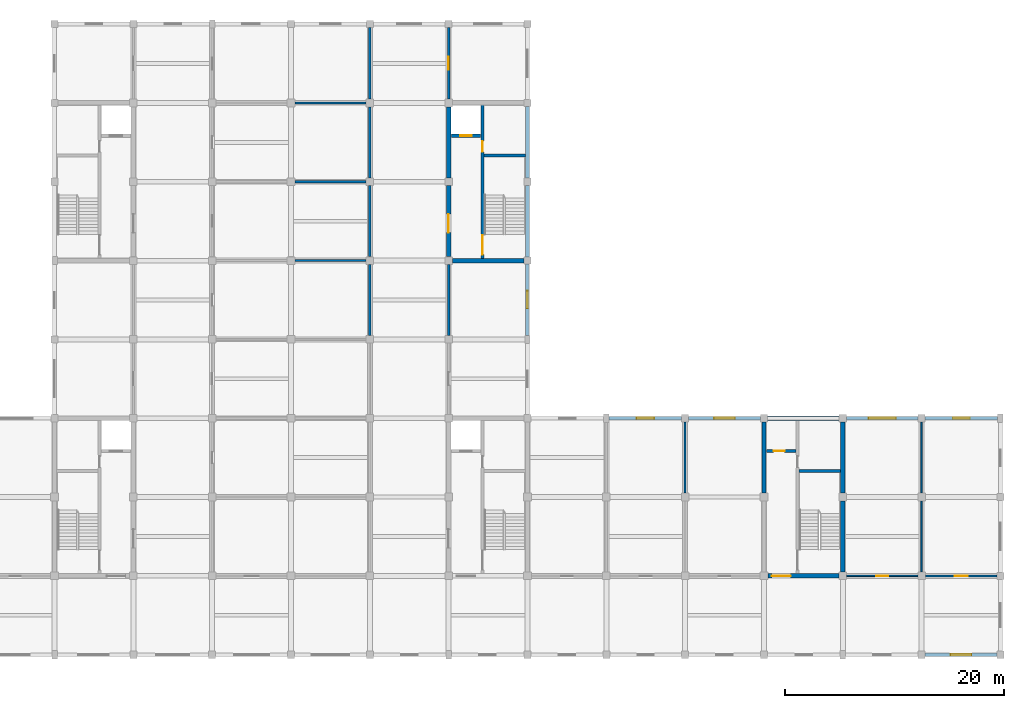
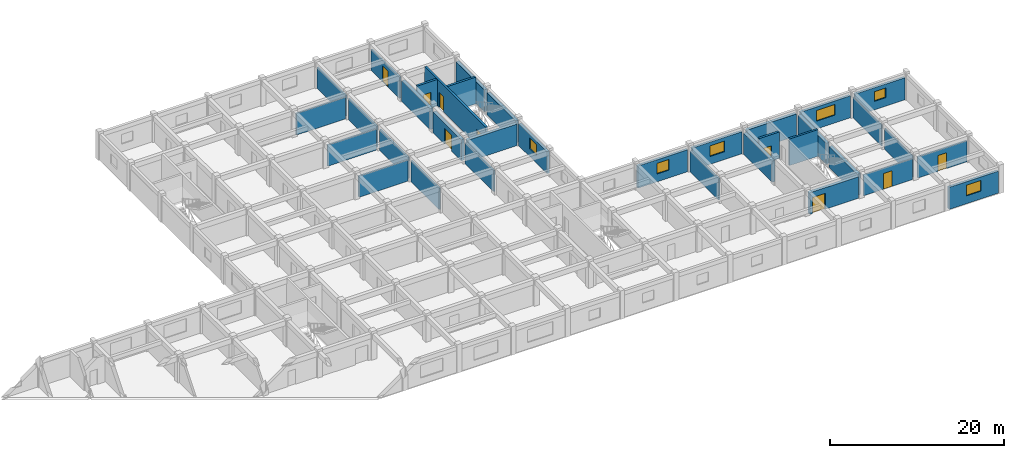
# One storey, part 8 of 11: 35 walls, 9 doors, 6 windows, 15 openings.
"""IFC4 building model written with IfcOpenShell, lengths in metres."""

from ifc_helpers import new_model, si_unit, direction, frame, frame_2d, origin, place, context, subcontext, project, spatial, rectangle, extrude, material, layer, layer_set, type_object, element, fill, save


model = new_model("IFC4")

# Units and contexts
model_context = context("Model", 3, precision=1e-05, world=origin(), true_north=direction((0.0, 1.0)))
body_context = subcontext(model_context, "Body", "Model", "MODEL_VIEW")
ifc_project = project(units=[si_unit("LENGTHUNIT", "METRE"), si_unit("AREAUNIT", "SQUARE_METRE"), si_unit("VOLUMEUNIT", "CUBIC_METRE"), si_unit("PLANEANGLEUNIT", "RADIAN"), si_unit("MASSUNIT", "GRAM", prefix="KILO")], contexts=[model_context])

# Site, building, storey
site_placement = place(None, origin())
site = spatial("IfcSite", under=ifc_project, at=site_placement, CompositionType="ELEMENT")
building_placement = place(site_placement, origin())
building = spatial("IfcBuilding", under=site, at=building_placement, Name="Cendaluz Park School", CompositionType="ELEMENT")
storey_placement = place(building_placement, frame((0.0, 0.0, 26.60009765625)))
storey = spatial("IfcBuildingStorey", under=building, at=storey_placement, Name="L06", CompositionType="ELEMENT", Elevation=26.60009765625)

# Wall
ifc_material_1 = material(Name="Gypsum Plasterboard on Cold-Formed Stud", Category="gypsum")
ifc_layer_1 = layer(ifc_material_1, 0.199951171875)
ifc_layer_set_1 = layer_set([ifc_layer_1], Name="Gypsum Plasterboard on Cold-Formed Stud")
wall_type_1 = type_object("IfcWallType", Name="W-AC20", PredefinedType="PARTITIONING", material=ifc_layer_set_1)
wall_1_placement = place(storey_placement, frame((122.39990234375, 21.949951171875, 0.0), z_axis=(0.0, 0.0, 1.0), x_axis=(0.0, 1.0, 0.0)))
element("IfcWall", 1, at=wall_1_placement, inside=storey, type_object=wall_type_1, Name="WL-FG-BP6", PredefinedType="PARTITIONING", context=body_context, shape_type="SweptSolid", body=[
    extrude(rectangle(XDim=6.525146484375, YDim=0.199951171875, at=frame_2d((3.2626953125, 0.0))), origin(), (0.0, 0.0, 1.0), 2.9599609375),
])

# Wall, opening, door
wall_2_placement = place(storey_placement, frame((144.35009765625, 14.39990234375, 0.0), z_axis=(0.0, 0.0, 1.0), x_axis=(1.0, 0.0, 0.0)))
wall_2 = element("IfcWall", 2, at=wall_2_placement, inside=storey, type_object=wall_type_1, Name="WL-FG-BQ1", PredefinedType="PARTITIONING", context=body_context, shape_type="SweptSolid", body=[
    extrude(rectangle(XDim=6.52490234375, YDim=0.199951171875, at=frame_2d((3.262451171875, 0.0))), origin(), (0.0, 0.0, 1.0), 2.9599609375),
])
opening_1_placement = place(wall_2_placement, frame((2.6826171875, 0.0, 0.0)))
opening_1 = element("IfcOpeningElement", 3, at=opening_1_placement, cuts=wall_2, Name="Opening DCL-07", PredefinedType="OPENING", context=body_context, shape_type="SweptSolid", body=[
    extrude(rectangle(XDim=1.159912109375, YDim=2.219970703125, at=frame_2d((0.580078125, 1.10986328125))), frame((0.0, 0.112060546875, 0.0), z_axis=(0.0, -1.0, 0.0), x_axis=(1.0, 0.0, 0.0)), (0.0, 0.0, 1.0), 0.223876953125),
])
ifc_material_2 = material(Name="Solid Core Hardwood", Category="wood")
door_type_1 = type_object("IfcDoorType", Name="DCL-07", OperationType="NOTDEFINED", PredefinedType="DOOR", material=ifc_material_2)
door_1_placement = place(opening_1_placement, origin())
door_1 = element("IfcDoor", 4, at=door_1_placement, inside=storey, type_object=door_type_1, Name="D-L06-036", OperationType="SINGLE_SWING_RIGHT", OverallHeight=2.219970703125, OverallWidth=1.159912109375, PredefinedType="DOOR", context=body_context, shape_type="SweptSolid", body=[
    extrude(rectangle(XDim=1.159912109375, YDim=2.219970703125, at=frame_2d((0.580078125, 1.10986328125))), frame((0.0, 0.02490234375, 0.0), z_axis=(0.0, -1.0, 0.0), x_axis=(1.0, 0.0, 0.0)), (0.0, 0.0, 1.0), 0.050048828125),
])
fill(opening_1, door_1)

# Walls
for number, where, z_axis, x_axis, name in (
    (5, (86.75, 43.199951171875, 0.0), (0.0, 0.0, 1.0), (1.0, 0.0, 0.0), "WL-FG-BS1"),
    (6, (93.60009765625, 36.35009765625, 0.0), (0.0, 0.0, 1.0), (0.0, 1.0, 0.0), "WL-FG-BS2"),
    (7, (86.75, 50.39990234375, 0.0), (0.0, 0.0, 1.0), (1.0, 0.0, 0.0), "WL-FG-BS5"),
    (8, (93.60009765625, 43.550048828125, 0.0), (0.0, 0.0, 1.0), (0.0, 1.0, 0.0), "WL-FG-BS6"),
):
    element("IfcWall", number, at=place(storey_placement, frame(where, z_axis=z_axis, x_axis=x_axis)), inside=storey, type_object=wall_type_1, Name=name, PredefinedType="PARTITIONING", context=body_context, shape_type="SweptSolid", body=[
        extrude(rectangle(XDim=6.5, YDim=0.199951171875, at=frame_2d((3.25, 0.0))), origin(), (0.0, 0.0, 1.0), 2.9599609375),
    ])
wall_3_placement = place(storey_placement, frame((86.75, 57.60009765625, 0.0), z_axis=(0.0, 0.0, 1.0), x_axis=(1.0, 0.0, 0.0)))
element("IfcWall", 9, at=wall_3_placement, inside=storey, type_object=wall_type_1, Name="WL-FG-BS9", PredefinedType="PARTITIONING", context=body_context, shape_type="SweptSolid", body=[
    extrude(rectangle(XDim=6.5, YDim=0.199951171875, at=frame_2d((3.25, 0.0))), origin(), (0.0, 0.0, 1.0), 3.02978515625),
])
wall_4_placement = place(storey_placement, frame((93.60009765625, 50.75, 0.0), z_axis=(0.0, 0.0, 1.0), x_axis=(0.0, 1.0, 0.0)))
element("IfcWall", 10, at=wall_4_placement, inside=storey, type_object=wall_type_1, Name="WL-FG-BT0", PredefinedType="PARTITIONING", context=body_context, shape_type="SweptSolid", body=[
    extrude(rectangle(XDim=6.5, YDim=0.199951171875, at=frame_2d((3.25, 0.0))), origin(), (0.0, 0.0, 1.0), 2.9599609375),
])
wall_5_placement = place(storey_placement, frame((93.60009765625, 57.949951171875, 0.0), z_axis=(0.0, 0.0, 1.0), x_axis=(0.0, 1.0, 0.0)))
element("IfcWall", 11, at=wall_5_placement, inside=storey, type_object=wall_type_1, Name="WL-FG-BT2", PredefinedType="PARTITIONING", context=body_context, shape_type="SweptSolid", body=[
    extrude(rectangle(XDim=6.525146484375, YDim=0.199951171875, at=frame_2d((3.2626953125, 0.0))), origin(), (0.0, 0.0, 1.0), 2.9599609375),
])
wall_6_placement = place(storey_placement, frame((100.800048828125, 36.35009765625, 0.0), z_axis=(0.0, 0.0, 1.0), x_axis=(0.0, 1.0, 0.0)))
element("IfcWall", 12, at=wall_6_placement, inside=storey, type_object=wall_type_1, Name="WL-FG-BT4", PredefinedType="PARTITIONING", context=body_context, shape_type="SweptSolid", body=[
    extrude(rectangle(XDim=6.5, YDim=0.199951171875, at=frame_2d((3.25, 0.0))), origin(), (0.0, 0.0, 1.0), 2.9599609375),
])

# Wall, opening, door
wall_7_placement = place(storey_placement, frame((100.800048828125, 57.949951171875, 0.0), z_axis=(0.0, 0.0, 1.0), x_axis=(0.0, 1.0, 0.0)))
wall_7 = element("IfcWall", 13, at=wall_7_placement, inside=storey, type_object=wall_type_1, Name="WL-FG-BT5", PredefinedType="PARTITIONING", context=body_context, shape_type="SweptSolid", body=[
    extrude(rectangle(XDim=6.525146484375, YDim=0.199951171875, at=frame_2d((3.2626953125, 0.0))), origin(), (0.0, 0.0, 1.0), 2.9599609375),
])
opening_2_placement = place(wall_7_placement, frame((2.66259765625, 0.0, 0.0)))
opening_2 = element("IfcOpeningElement", 14, at=opening_2_placement, cuts=wall_7, Name="Opening DCL-08", PredefinedType="OPENING", context=body_context, shape_type="SweptSolid", body=[
    extrude(rectangle(XDim=1.199951171875, YDim=2.239990234375, at=frame_2d((0.60009765625, 1.1201171875))), frame((0.0, 0.112060546875, 0.0), z_axis=(0.0, -1.0, 0.0), x_axis=(1.0, 0.0, 0.0)), (0.0, 0.0, 1.0), 0.223876953125),
])
door_type_2 = type_object("IfcDoorType", Name="DCL-08", OperationType="NOTDEFINED", PredefinedType="DOOR", material=ifc_material_2)
door_2_placement = place(opening_2_placement, frame((1.199951171875, 0.0, 0.0), z_axis=(0.0, 0.0, 1.0), x_axis=(-1.0, 0.0, 0.0)))
door_2 = element("IfcDoor", 15, at=door_2_placement, inside=storey, type_object=door_type_2, Name="D-L06-047", OperationType="SINGLE_SWING_LEFT", OverallHeight=2.239990234375, OverallWidth=1.199951171875, PredefinedType="DOOR", context=body_context, shape_type="SweptSolid", body=[
    extrude(rectangle(XDim=1.199951171875, YDim=2.239990234375, at=frame_2d((0.60009765625, 1.1201171875))), frame((0.0, 0.02490234375, 0.0), z_axis=(0.0, -1.0, 0.0), x_axis=(1.0, 0.0, 0.0)), (0.0, 0.0, 1.0), 0.050048828125),
])
fill(opening_2, door_2)

# Wall, opening, window
ifc_material_3 = material(Name="Concrete C40/50 precast", Category="concrete")
ifc_layer_2 = layer(ifc_material_3, 0.320068359375)
ifc_layer_set_2 = layer_set([ifc_layer_2], Name="Concrete C40/50 precast")
wall_type_2 = type_object("IfcWallType", Name="W-EX32", PredefinedType="SOLIDWALL", material=ifc_layer_set_2)
wall_8_placement = place(storey_placement, frame((108.0, 36.375, 0.0), z_axis=(0.0, 0.0, 1.0), x_axis=(0.0, 1.0, 0.0)))
wall_8 = element("IfcWall", 16, at=wall_8_placement, inside=storey, type_object=wall_type_2, Name="WL-FG-AC9", PredefinedType="SOLIDWALL", context=body_context, shape_type="SweptSolid", body=[
    extrude(rectangle(XDim=6.5, YDim=0.320068359375, at=frame_2d((3.25, 0.0))), origin(), (0.0, 0.0, 1.0), 3.099853515625),
])
opening_3_placement = place(wall_8_placement, frame((2.449951171875, 0.0, 1.10009765625)))
opening_3 = element("IfcOpeningElement", 17, at=opening_3_placement, cuts=wall_8, Name="Opening WN-16", PredefinedType="OPENING", context=body_context, shape_type="SweptSolid", body=[
    extrude(rectangle(XDim=1.60009765625, YDim=1.5, at=frame_2d((0.800048828125, 0.75))), frame((0.0, 0.172119140625, 0.0), z_axis=(0.0, -1.0, 0.0), x_axis=(1.0, 0.0, 0.0)), (0.0, 0.0, 1.0), 0.343994140625),
])
ifc_material_4 = material(Name="Tempered Low-E Double Glazing", Category="glass")
window_type_1 = type_object("IfcWindowType", Name="WN-16", PartitioningType="SINGLE_PANEL", PredefinedType="WINDOW", material=ifc_material_4)
window_1_placement = place(opening_3_placement, origin())
window_1 = element("IfcWindow", 18, at=window_1_placement, inside=storey, type_object=window_type_1, Name="WN-L06-030", OverallHeight=1.5, OverallWidth=1.60009765625, PartitioningType="SINGLE_PANEL", PredefinedType="WINDOW", context=body_context, shape_type="SweptSolid", body=[
    extrude(rectangle(XDim=1.60009765625, YDim=1.5, at=frame_2d((0.800048828125, 0.75))), frame((0.0, 0.030029296875, 0.0), z_axis=(0.0, -1.0, 0.0), x_axis=(1.0, 0.0, 0.0)), (0.0, 0.0, 1.0), 0.06005859375),
])
fill(opening_3, window_1)

wall_9_placement = place(storey_placement, frame((115.449951171875, 28.800048828125, 0.0), z_axis=(0.0, 0.0, 1.0), x_axis=(1.0, 0.0, 0.0)))
wall_9 = element("IfcWall", 19, at=wall_9_placement, inside=storey, type_object=wall_type_2, Name="WL-FG-AD5", PredefinedType="SOLIDWALL", context=body_context, shape_type="SweptSolid", body=[
    extrude(rectangle(XDim=6.625, YDim=0.320068359375, at=frame_2d((3.3125, 0.0))), origin(), (0.0, 0.0, 1.0), 3.099853515625),
])
opening_4_placement = place(wall_9_placement, frame((2.512451171875, 0.0, 1.10009765625)))
opening_4 = element("IfcOpeningElement", 20, at=opening_4_placement, cuts=wall_9, Name="Opening WN-16", PredefinedType="OPENING", context=body_context, shape_type="SweptSolid", body=[
    extrude(rectangle(XDim=1.60009765625, YDim=1.5, at=frame_2d((0.800048828125, 0.75))), frame((0.0, 0.172119140625, 0.0), z_axis=(0.0, -1.0, 0.0), x_axis=(1.0, 0.0, 0.0)), (0.0, 0.0, 1.0), 0.343994140625),
])
window_2_placement = place(opening_4_placement, origin())
window_2 = element("IfcWindow", 21, at=window_2_placement, inside=storey, type_object=window_type_1, Name="WN-L06-036", OverallHeight=1.5, OverallWidth=1.60009765625, PartitioningType="SINGLE_PANEL", PredefinedType="WINDOW", context=body_context, shape_type="SweptSolid", body=[
    extrude(rectangle(XDim=1.60009765625, YDim=1.5, at=frame_2d((0.800048828125, 0.75))), frame((0.0, 0.030029296875, 0.0), z_axis=(0.0, -1.0, 0.0), x_axis=(1.0, 0.0, 0.0)), (0.0, 0.0, 1.0), 0.06005859375),
])
fill(opening_4, window_2)

wall_10_placement = place(storey_placement, frame((122.72509765625, 28.800048828125, 0.0), z_axis=(0.0, 0.0, 1.0), x_axis=(1.0, 0.0, 0.0)))
wall_10 = element("IfcWall", 22, at=wall_10_placement, inside=storey, type_object=wall_type_2, Name="WL-FG-AD7", PredefinedType="SOLIDWALL", context=body_context, shape_type="SweptSolid", body=[
    extrude(rectangle(XDim=6.5498046875, YDim=0.320068359375, at=frame_2d((3.27490234375, 0.0))), origin(), (0.0, 0.0, 1.0), 3.099853515625),
])
opening_5_placement = place(wall_10_placement, frame((2.324951171875, 0.0, 1.10009765625)))
opening_5 = element("IfcOpeningElement", 23, at=opening_5_placement, cuts=wall_10, Name="Opening WN-17", PredefinedType="OPENING", context=body_context, shape_type="SweptSolid", body=[
    extrude(rectangle(XDim=1.89990234375, YDim=1.5, at=frame_2d((0.949951171875, 0.75))), frame((0.0, 0.172119140625, 0.0), z_axis=(0.0, -1.0, 0.0), x_axis=(1.0, 0.0, 0.0)), (0.0, 0.0, 1.0), 0.343994140625),
])
window_type_2 = type_object("IfcWindowType", Name="WN-17", PartitioningType="SINGLE_PANEL", PredefinedType="WINDOW", material=ifc_material_4)
window_3_placement = place(opening_5_placement, origin())
window_3 = element("IfcWindow", 24, at=window_3_placement, inside=storey, type_object=window_type_2, Name="WN-L06-038", OverallHeight=1.5, OverallWidth=1.89990234375, PartitioningType="SINGLE_PANEL", PredefinedType="WINDOW", context=body_context, shape_type="SweptSolid", body=[
    extrude(rectangle(XDim=1.89990234375, YDim=1.5, at=frame_2d((0.949951171875, 0.75))), frame((0.0, 0.030029296875, 0.0), z_axis=(0.0, -1.0, 0.0), x_axis=(1.0, 0.0, 0.0)), (0.0, 0.0, 1.0), 0.06005859375),
])
fill(opening_5, window_3)

wall_11_placement = place(storey_placement, frame((137.125, 28.800048828125, 0.0), z_axis=(0.0, 0.0, 1.0), x_axis=(1.0, 0.0, 0.0)))
wall_11 = element("IfcWall", 25, at=wall_11_placement, inside=storey, type_object=wall_type_2, Name="WL-FG-AE0", PredefinedType="SOLIDWALL", context=body_context, shape_type="SweptSolid", body=[
    extrude(rectangle(XDim=6.550048828125, YDim=0.320068359375, at=frame_2d((3.27490234375, 0.0))), origin(), (0.0, 0.0, 1.0), 3.099853515625),
])
opening_6_placement = place(wall_11_placement, frame((2.02490234375, 0.0, 1.10009765625)))
opening_6 = element("IfcOpeningElement", 26, at=opening_6_placement, cuts=wall_11, Name="Opening WN-19", PredefinedType="OPENING", context=body_context, shape_type="SweptSolid", body=[
    extrude(rectangle(XDim=2.5, YDim=1.5, at=frame_2d((1.25, 0.75))), frame((0.0, 0.172119140625, 0.0), z_axis=(0.0, -1.0, 0.0), x_axis=(1.0, 0.0, 0.0)), (0.0, 0.0, 1.0), 0.343994140625),
])
window_type_3 = type_object("IfcWindowType", Name="WN-19", PartitioningType="SINGLE_PANEL", PredefinedType="WINDOW", material=ifc_material_4)
window_4_placement = place(opening_6_placement, origin())
window_4 = element("IfcWindow", 27, at=window_4_placement, inside=storey, type_object=window_type_3, Name="WN-L06-041", OverallHeight=1.5, OverallWidth=2.5, PartitioningType="SINGLE_PANEL", PredefinedType="WINDOW", context=body_context, shape_type="SweptSolid", body=[
    extrude(rectangle(XDim=2.5, YDim=1.5, at=frame_2d((1.25, 0.75))), frame((0.0, 0.030029296875, 0.0), z_axis=(0.0, -1.0, 0.0), x_axis=(1.0, 0.0, 0.0)), (0.0, 0.0, 1.0), 0.06005859375),
])
fill(opening_6, window_4)

wall_12_placement = place(storey_placement, frame((144.324951171875, 7.199951171875, 0.0), z_axis=(0.0, 0.0, 1.0), x_axis=(1.0, 0.0, 0.0)))
wall_12 = element("IfcWall", 28, at=wall_12_placement, inside=storey, type_object=wall_type_2, Name="WL-FG-AE1", PredefinedType="SOLIDWALL", context=body_context, shape_type="SweptSolid", body=[
    extrude(rectangle(XDim=6.550048828125, YDim=0.320068359375, at=frame_2d((3.27490234375, 0.0))), origin(), (0.0, 0.0, 1.0), 3.099853515625),
])
opening_7_placement = place(wall_12_placement, frame((2.324951171875, 0.0, 1.10009765625)))
opening_7 = element("IfcOpeningElement", 29, at=opening_7_placement, cuts=wall_12, Name="Opening WN-17", PredefinedType="OPENING", context=body_context, shape_type="SweptSolid", body=[
    extrude(rectangle(XDim=1.89990234375, YDim=1.5, at=frame_2d((0.949951171875, 0.75))), frame((0.0, 0.172119140625, 0.0), z_axis=(0.0, -1.0, 0.0), x_axis=(1.0, 0.0, 0.0)), (0.0, 0.0, 1.0), 0.343994140625),
])
window_5_placement = place(opening_7_placement, origin())
window_5 = element("IfcWindow", 30, at=window_5_placement, inside=storey, type_object=window_type_2, Name="WN-L06-042", OverallHeight=1.5, OverallWidth=1.89990234375, PartitioningType="SINGLE_PANEL", PredefinedType="WINDOW", context=body_context, shape_type="SweptSolid", body=[
    extrude(rectangle(XDim=1.89990234375, YDim=1.5, at=frame_2d((0.949951171875, 0.75))), frame((0.0, 0.030029296875, 0.0), z_axis=(0.0, -1.0, 0.0), x_axis=(1.0, 0.0, 0.0)), (0.0, 0.0, 1.0), 0.06005859375),
])
fill(opening_7, window_5)

wall_13_placement = place(storey_placement, frame((144.324951171875, 28.800048828125, 0.0), z_axis=(0.0, 0.0, 1.0), x_axis=(1.0, 0.0, 0.0)))
wall_13 = element("IfcWall", 31, at=wall_13_placement, inside=storey, type_object=wall_type_2, Name="WL-FG-AE4", PredefinedType="SOLIDWALL", context=body_context, shape_type="SweptSolid", body=[
    extrude(rectangle(XDim=6.625, YDim=0.320068359375, at=frame_2d((3.3125, 0.0))), origin(), (0.0, 0.0, 1.0), 3.099853515625),
])
opening_8_placement = place(wall_13_placement, frame((2.5625, 0.0, 1.199951171875)))
opening_8 = element("IfcOpeningElement", 32, at=opening_8_placement, cuts=wall_13, Name="Opening WN-20", PredefinedType="OPENING", context=body_context, shape_type="SweptSolid", body=[
    extrude(rectangle(XDim=1.5, YDim=1.35009765625, at=frame_2d((0.75, 0.675048828125))), frame((0.0, 0.172119140625, 0.0), z_axis=(0.0, -1.0, 0.0), x_axis=(1.0, 0.0, 0.0)), (0.0, 0.0, 1.0), 0.343994140625),
])
window_type_4 = type_object("IfcWindowType", Name="WN-20", PartitioningType="SINGLE_PANEL", PredefinedType="WINDOW", material=ifc_material_4)
window_6_placement = place(opening_8_placement, origin())
window_6 = element("IfcWindow", 33, at=window_6_placement, inside=storey, type_object=window_type_4, Name="WN-L06-045", OverallHeight=1.35009765625, OverallWidth=1.5, PartitioningType="SINGLE_PANEL", PredefinedType="WINDOW", context=body_context, shape_type="SweptSolid", body=[
    extrude(rectangle(XDim=1.5, YDim=1.35009765625, at=frame_2d((0.75, 0.675048828125))), frame((0.0, 0.030029296875, 0.0), z_axis=(0.0, -1.0, 0.0), x_axis=(1.0, 0.0, 0.0)), (0.0, 0.0, 1.0), 0.06005859375),
])
fill(opening_8, window_6)

# Wall, openings, doors
ifc_material_5 = material(Name="Concrete C40/50", Category="concrete")
ifc_layer_3 = layer(ifc_material_5, 0.280029296875)
ifc_layer_set_3 = layer_set([ifc_layer_3], Name="Concrete C40/50")
wall_type_3 = type_object("IfcWallType", Name="W-FW28", PredefinedType="SHEAR", material=ifc_layer_set_3)
wall_14_placement = place(storey_placement, frame((103.8798828125, 43.39990234375, 0.0), z_axis=(0.0, 0.0, 1.0), x_axis=(0.0, 1.0, 0.0)))
wall_14 = element("IfcWall", 34, at=wall_14_placement, inside=storey, type_object=wall_type_3, Name="WL-FG-BL9", PredefinedType="SHEAR", context=body_context, shape_type="SweptSolid", body=[
    extrude(rectangle(XDim=14.0, YDim=0.280029296875, at=frame_2d((7.0, 0.0))), origin(), (0.0, 0.0, 1.0), 3.72998046875),
])
opening_9_placement = place(wall_14_placement, frame((0.35009765625, 0.0, 0.0)))
opening_9 = element("IfcOpeningElement", 35, at=opening_9_placement, cuts=wall_14, Name="Opening DST-03", PredefinedType="OPENING", context=body_context, shape_type="SweptSolid", body=[
    extrude(rectangle(XDim=1.75, YDim=2.14990234375, at=frame_2d((0.875, 1.074951171875))), frame((0.0, 0.152099609375, 0.0), z_axis=(0.0, -1.0, 0.0), x_axis=(1.0, 0.0, 0.0)), (0.0, 0.0, 1.0), 0.303955078125),
])
opening_10_placement = place(wall_14_placement, frame((9.719970703125, 0.0, 0.0)))
opening_10 = element("IfcOpeningElement", 36, at=opening_10_placement, cuts=wall_14, Name="Opening DFC-01", PredefinedType="OPENING", context=body_context, shape_type="SweptSolid", body=[
    extrude(rectangle(XDim=1.0, YDim=2.14990234375, at=frame_2d((0.5, 1.074951171875))), frame((0.0, 0.152099609375, 0.0), z_axis=(0.0, -1.0, 0.0), x_axis=(1.0, 0.0, 0.0)), (0.0, 0.0, 1.0), 0.303955078125),
])
door_type_3 = type_object("IfcDoorType", Name="DFC-01", OperationType="NOTDEFINED", PredefinedType="DOOR", material=ifc_material_2)
door_3_placement = place(opening_10_placement, frame((1.0, 0.0, 0.0), z_axis=(0.0, 0.0, 1.0), x_axis=(-1.0, 0.0, 0.0)))
door_3 = element("IfcDoor", 37, at=door_3_placement, inside=storey, type_object=door_type_3, Name="D-L06-017", OperationType="SINGLE_SWING_RIGHT", OverallHeight=2.14990234375, OverallWidth=1.0, PredefinedType="DOOR", context=body_context, shape_type="SweptSolid", body=[
    extrude(rectangle(XDim=1.0, YDim=2.14990234375, at=frame_2d((0.5, 1.074951171875))), frame((0.0, 0.02490234375, 0.0), z_axis=(0.0, -1.0, 0.0), x_axis=(1.0, 0.0, 0.0)), (0.0, 0.0, 1.0), 0.050048828125),
])
fill(opening_10, door_3)
door_type_4 = type_object("IfcDoorType", Name="DST-03", OperationType="DOUBLE_DOOR_SINGLE_SWING", PredefinedType="DOOR", material=ifc_material_2)
door_4_placement = place(opening_9_placement, frame((1.75, 0.0, 0.0), z_axis=(0.0, 0.0, 1.0), x_axis=(-1.0, 0.0, 0.0)))
door_4 = element("IfcDoor", 38, at=door_4_placement, inside=storey, type_object=door_type_4, Name="D-L06-016", OperationType="DOUBLE_DOOR_SINGLE_SWING", OverallHeight=2.14990234375, OverallWidth=1.75, PredefinedType="DOOR", context=body_context, shape_type="SweptSolid", body=[
    extrude(rectangle(XDim=1.75, YDim=2.14990234375, at=frame_2d((0.875, 1.074951171875))), frame((0.0, 0.02490234375, 0.0), z_axis=(0.0, -1.0, 0.0), x_axis=(1.0, 0.0, 0.0)), (0.0, 0.0, 1.0), 0.050048828125),
])
fill(opening_9, door_4)

# Wall
wall_15_placement = place(storey_placement, frame((104.02001953125, 52.780029296875, 0.0), z_axis=(0.0, 0.0, 1.0), x_axis=(1.0, 0.0, 0.0)))
element("IfcWall", 39, at=wall_15_placement, inside=storey, type_object=wall_type_3, Name="WL-FG-BM0", PredefinedType="SHEAR", context=body_context, shape_type="SweptSolid", body=[
    extrude(rectangle(XDim=3.780029296875, YDim=0.280029296875, at=frame_2d((1.89013671875, 0.0))), origin(), (0.0, 0.0, 1.0), 3.72998046875),
])

# Wall, opening, door
wall_16_placement = place(storey_placement, frame((101.0400390625, 54.60009765625, 0.0), z_axis=(0.0, 0.0, 1.0), x_axis=(1.0, 0.0, 0.0)))
wall_16 = element("IfcWall", 40, at=wall_16_placement, inside=storey, type_object=wall_type_3, Name="WL-FG-BM1", PredefinedType="SHEAR", context=body_context, shape_type="SweptSolid", body=[
    extrude(rectangle(XDim=2.679931640625, YDim=0.280029296875, at=frame_2d((1.33984375, 0.0))), origin(), (0.0, 0.0, 1.0), 3.72998046875),
])
opening_11_placement = place(wall_16_placement, frame((0.81494140625, 0.0, 0.0)))
opening_11 = element("IfcOpeningElement", 41, at=opening_11_placement, cuts=wall_16, Name="Opening LD-02", PredefinedType="OPENING", context=body_context, shape_type="SweptSolid", body=[
    extrude(rectangle(XDim=1.050048828125, YDim=2.199951171875, at=frame_2d((0.52490234375, 1.10009765625))), frame((0.0, 0.152099609375, 0.0), z_axis=(0.0, -1.0, 0.0), x_axis=(1.0, 0.0, 0.0)), (0.0, 0.0, 1.0), 0.303955078125),
])
ifc_material_6 = material(Name="Stainless Steel 316L", Category="steel")
door_type_5 = type_object("IfcDoorType", Name="LD-02", OperationType="DOUBLE_DOOR_SLIDING", PredefinedType="DOOR", material=ifc_material_6)
door_5_placement = place(opening_11_placement, frame((1.050048828125, 0.0, 0.0), z_axis=(0.0, 0.0, 1.0), x_axis=(-1.0, 0.0, 0.0)))
door_5 = element("IfcDoor", 42, at=door_5_placement, inside=storey, type_object=door_type_5, Name="D-L06-018", OperationType="DOUBLE_DOOR_SLIDING", OverallHeight=2.199951171875, OverallWidth=1.050048828125, PredefinedType="DOOR", context=body_context, shape_type="SweptSolid", body=[
    extrude(rectangle(XDim=1.050048828125, YDim=2.199951171875, at=frame_2d((0.52490234375, 1.10009765625))), frame((0.0, 0.02490234375, 0.0), z_axis=(0.0, -1.0, 0.0), x_axis=(1.0, 0.0, 0.0)), (0.0, 0.0, 1.0), 0.050048828125),
])
fill(opening_11, door_5)

# Wall
wall_17_placement = place(storey_placement, frame((132.820068359375, 23.97998046875, 0.0), z_axis=(0.0, 0.0, 1.0), x_axis=(1.0, 0.0, 0.0)))
element("IfcWall", 43, at=wall_17_placement, inside=storey, type_object=wall_type_3, Name="WL-FG-BN8", PredefinedType="SHEAR", context=body_context, shape_type="SweptSolid", body=[
    extrude(rectangle(XDim=3.780029296875, YDim=0.280029296875, at=frame_2d((1.89013671875, 0.0))), origin(), (0.0, 0.0, 1.0), 3.72998046875),
])

# Wall, opening, door
wall_18_placement = place(storey_placement, frame((129.840087890625, 25.800048828125, 0.0), z_axis=(0.0, 0.0, 1.0), x_axis=(1.0, 0.0, 0.0)))
wall_18 = element("IfcWall", 44, at=wall_18_placement, inside=storey, type_object=wall_type_3, Name="WL-FG-BN9", PredefinedType="SHEAR", context=body_context, shape_type="SweptSolid", body=[
    extrude(rectangle(XDim=2.679931640625, YDim=0.280029296875, at=frame_2d((1.33984375, 0.0))), origin(), (0.0, 0.0, 1.0), 3.72998046875),
])
opening_12_placement = place(wall_18_placement, frame((0.64990234375, 0.0, 0.0)))
opening_12 = element("IfcOpeningElement", 45, at=opening_12_placement, cuts=wall_18, Name="Opening DFC-01", PredefinedType="OPENING", context=body_context, shape_type="SweptSolid", body=[
    extrude(rectangle(XDim=1.0, YDim=2.14990234375, at=frame_2d((0.5, 1.074951171875))), frame((0.0, 0.152099609375, 0.0), z_axis=(0.0, -1.0, 0.0), x_axis=(1.0, 0.0, 0.0)), (0.0, 0.0, 1.0), 0.303955078125),
])
door_6_placement = place(opening_12_placement, frame((1.0, 0.0, 0.0), z_axis=(0.0, 0.0, 1.0), x_axis=(-1.0, 0.0, 0.0)))
door_6 = element("IfcDoor", 46, at=door_6_placement, inside=storey, type_object=door_type_3, Name="D-L06-026", OperationType="SINGLE_SWING_RIGHT", OverallHeight=2.14990234375, OverallWidth=1.0, PredefinedType="DOOR", context=body_context, shape_type="SweptSolid", body=[
    extrude(rectangle(XDim=1.0, YDim=2.14990234375, at=frame_2d((0.5, 1.074951171875))), frame((0.0, 0.02490234375, 0.0), z_axis=(0.0, -1.0, 0.0), x_axis=(1.0, 0.0, 0.0)), (0.0, 0.0, 1.0), 0.050048828125),
])
fill(opening_12, door_6)

ifc_layer_4 = layer(ifc_material_1, 0.1201171875)
ifc_layer_set_4 = layer_set([ifc_layer_4], Name="Gypsum Plasterboard on Cold-Formed Stud")
wall_type_4 = type_object("IfcWallType", Name="W-MV12", PredefinedType="MOVABLE", material=ifc_layer_set_4)
wall_19_placement = place(storey_placement, frame((137.14990234375, 14.39990234375, 0.0), z_axis=(0.0, 0.0, 1.0), x_axis=(1.0, 0.0, 0.0)))
wall_19 = element("IfcWall", 47, at=wall_19_placement, inside=storey, type_object=wall_type_4, Name="WL-FG-BP8", PredefinedType="MOVABLE", context=body_context, shape_type="SweptSolid", body=[
    extrude(rectangle(XDim=6.5, YDim=0.1201171875, at=frame_2d((3.25, 0.0))), origin(), (0.0, 0.0, 1.0), 2.9599609375),
])
opening_13_placement = place(wall_19_placement, frame((2.68994140625, 0.0, 0.0)))
opening_13 = element("IfcOpeningElement", 48, at=opening_13_placement, cuts=wall_19, Name="Opening DCL-06", PredefinedType="OPENING", context=body_context, shape_type="SweptSolid", body=[
    extrude(rectangle(XDim=1.1201171875, YDim=2.199951171875, at=frame_2d((0.56005859375, 1.10009765625))), frame((0.0, 0.072021484375, 0.0), z_axis=(0.0, -1.0, 0.0), x_axis=(1.0, 0.0, 0.0)), (0.0, 0.0, 1.0), 0.14404296875),
])
door_type_6 = type_object("IfcDoorType", Name="DCL-06", OperationType="NOTDEFINED", PredefinedType="DOOR", material=ifc_material_2)
door_7_placement = place(opening_13_placement, origin())
door_7 = element("IfcDoor", 49, at=door_7_placement, inside=storey, type_object=door_type_6, Name="D-L06-035", OperationType="SINGLE_SWING_LEFT", OverallHeight=2.199951171875, OverallWidth=1.1201171875, PredefinedType="DOOR", context=body_context, shape_type="SweptSolid", body=[
    extrude(rectangle(XDim=1.1201171875, YDim=2.199951171875, at=frame_2d((0.56005859375, 1.10009765625))), frame((0.0, 0.02490234375, 0.0), z_axis=(0.0, -1.0, 0.0), x_axis=(1.0, 0.0, 0.0)), (0.0, 0.0, 1.0), 0.050048828125),
])
fill(opening_13, door_7)

# Walls
wall_20_placement = place(storey_placement, frame((144.0, 14.75, 0.0), z_axis=(0.0, 0.0, 1.0), x_axis=(0.0, 1.0, 0.0)))
element("IfcWall", 50, at=wall_20_placement, inside=storey, type_object=wall_type_4, Name="WL-FG-BP9", PredefinedType="MOVABLE", context=body_context, shape_type="SweptSolid", body=[
    extrude(rectangle(XDim=6.5, YDim=0.1201171875, at=frame_2d((3.25, 0.0))), origin(), (0.0, 0.0, 1.0), 2.9599609375),
])
wall_21_placement = place(storey_placement, frame((144.0, 21.949951171875, 0.0), z_axis=(0.0, 0.0, 1.0), x_axis=(0.0, 1.0, 0.0)))
element("IfcWall", 51, at=wall_21_placement, inside=storey, type_object=wall_type_4, Name="WL-FG-BQ0", PredefinedType="MOVABLE", context=body_context, shape_type="SweptSolid", body=[
    extrude(rectangle(XDim=6.525146484375, YDim=0.1201171875, at=frame_2d((3.2626953125, 0.0))), origin(), (0.0, 0.0, 1.0), 2.9599609375),
])

# Wall, opening, door
ifc_layer_5 = layer(ifc_material_5, 0.39990234375)
ifc_layer_set_5 = layer_set([ifc_layer_5], Name="Concrete C40/50")
wall_type_5 = type_object("IfcWallType", Name="W-SH40", PredefinedType="SHEAR", material=ifc_layer_set_5)
wall_22_placement = place(storey_placement, frame((100.800048828125, 43.550048828125, 0.0), z_axis=(0.0, 0.0, 1.0), x_axis=(0.0, 1.0, 0.0)))
wall_22 = element("IfcWall", 52, at=wall_22_placement, inside=storey, type_object=wall_type_5, Name="WL-FG-BL3", PredefinedType="SHEAR", context=body_context, shape_type="SweptSolid", body=[
    extrude(rectangle(XDim=6.5, YDim=0.39990234375, at=frame_2d((3.25, 0.0))), origin(), (0.0, 0.0, 1.0), 2.9599609375),
])
opening_14_placement = place(wall_22_placement, frame((2.199951171875, 0.0, 0.0)))
opening_14 = element("IfcOpeningElement", 53, at=opening_14_placement, cuts=wall_22, Name="Opening DLB-02", PredefinedType="OPENING", context=body_context, shape_type="SweptSolid", body=[
    extrude(rectangle(XDim=1.699951171875, YDim=2.25, at=frame_2d((0.85009765625, 1.125))), frame((0.0, 0.2119140625, 0.0), z_axis=(0.0, -1.0, 0.0), x_axis=(1.0, 0.0, 0.0)), (0.0, 0.0, 1.0), 0.423828125),
])
door_type_7 = type_object("IfcDoorType", Name="DLB-02", OperationType="DOUBLE_DOOR_SINGLE_SWING", PredefinedType="DOOR", material=ifc_material_2)
door_8_placement = place(opening_14_placement, frame((1.699951171875, 0.0, 0.0), z_axis=(0.0, 0.0, 1.0), x_axis=(-1.0, 0.0, 0.0)))
door_8 = element("IfcDoor", 54, at=door_8_placement, inside=storey, type_object=door_type_7, Name="D-L06-015", OperationType="DOUBLE_DOOR_SINGLE_SWING", OverallHeight=2.25, OverallWidth=1.699951171875, PredefinedType="DOOR", context=body_context, shape_type="SweptSolid", body=[
    extrude(rectangle(XDim=1.699951171875, YDim=2.25, at=frame_2d((0.85009765625, 1.125))), frame((0.0, 0.02490234375, 0.0), z_axis=(0.0, -1.0, 0.0), x_axis=(1.0, 0.0, 0.0)), (0.0, 0.0, 1.0), 0.050048828125),
])
fill(opening_14, door_8)

# Walls
wall_23_placement = place(storey_placement, frame((100.800048828125, 50.75, 0.0), z_axis=(0.0, 0.0, 1.0), x_axis=(0.0, 1.0, 0.0)))
element("IfcWall", 55, at=wall_23_placement, inside=storey, type_object=wall_type_5, Name="WL-FG-BL4", PredefinedType="SHEAR", context=body_context, shape_type="SweptSolid", body=[
    extrude(rectangle(XDim=6.5, YDim=0.39990234375, at=frame_2d((3.25, 0.0))), origin(), (0.0, 0.0, 1.0), 2.9599609375),
])
wall_24_placement = place(storey_placement, frame((108.0, 43.52490234375, 0.0), z_axis=(0.0, 0.0, 1.0), x_axis=(0.0, 1.0, 0.0)))
element("IfcWall", 56, at=wall_24_placement, inside=storey, type_object=wall_type_5, Name="WL-FG-BL5", PredefinedType="SHEAR", context=body_context, shape_type="SweptSolid", body=[
    extrude(rectangle(XDim=6.550048828125, YDim=0.39990234375, at=frame_2d((3.27490234375, 0.0))), origin(), (0.0, 0.0, 1.0), 3.099853515625),
])
wall_25_placement = place(storey_placement, frame((108.0, 50.72509765625, 0.0), z_axis=(0.0, 0.0, 1.0), x_axis=(0.0, 1.0, 0.0)))
element("IfcWall", 57, at=wall_25_placement, inside=storey, type_object=wall_type_5, Name="WL-FG-BL6", PredefinedType="SHEAR", context=body_context, shape_type="SweptSolid", body=[
    extrude(rectangle(XDim=6.5498046875, YDim=0.39990234375, at=frame_2d((3.27490234375, 0.0))), origin(), (0.0, 0.0, 1.0), 3.099853515625),
])
wall_26_placement = place(storey_placement, frame((101.14990234375, 43.199951171875, 0.0), z_axis=(0.0, 0.0, 1.0), x_axis=(1.0, 0.0, 0.0)))
element("IfcWall", 58, at=wall_26_placement, inside=storey, type_object=wall_type_5, Name="WL-FG-BL7", PredefinedType="SHEAR", context=body_context, shape_type="SweptSolid", body=[
    extrude(rectangle(XDim=6.525146484375, YDim=0.39990234375, at=frame_2d((3.2626953125, 0.0))), origin(), (0.0, 0.0, 1.0), 3.02978515625),
])
wall_27_placement = place(storey_placement, frame((129.60009765625, 21.949951171875, 0.0), z_axis=(0.0, 0.0, 1.0), x_axis=(0.0, 1.0, 0.0)))
element("IfcWall", 59, at=wall_27_placement, inside=storey, type_object=wall_type_5, Name="WL-FG-BN2", PredefinedType="SHEAR", context=body_context, shape_type="SweptSolid", body=[
    extrude(rectangle(XDim=6.525146484375, YDim=0.39990234375, at=frame_2d((3.2626953125, 0.0))), origin(), (0.0, 0.0, 1.0), 2.9599609375),
])
wall_28_placement = place(storey_placement, frame((136.800048828125, 14.75, 0.0), z_axis=(0.0, 0.0, 1.0), x_axis=(0.0, 1.0, 0.0)))
element("IfcWall", 60, at=wall_28_placement, inside=storey, type_object=wall_type_5, Name="WL-FG-BN3", PredefinedType="SHEAR", context=body_context, shape_type="SweptSolid", body=[
    extrude(rectangle(XDim=6.5, YDim=0.39990234375, at=frame_2d((3.25, 0.0))), origin(), (0.0, 0.0, 1.0), 2.9599609375),
])
wall_29_placement = place(storey_placement, frame((136.800048828125, 21.949951171875, 0.0), z_axis=(0.0, 0.0, 1.0), x_axis=(0.0, 1.0, 0.0)))
element("IfcWall", 61, at=wall_29_placement, inside=storey, type_object=wall_type_5, Name="WL-FG-BN4", PredefinedType="SHEAR", context=body_context, shape_type="SweptSolid", body=[
    extrude(rectangle(XDim=6.525146484375, YDim=0.39990234375, at=frame_2d((3.2626953125, 0.0))), origin(), (0.0, 0.0, 1.0), 2.9599609375),
])

# Wall, opening, door
wall_30_placement = place(storey_placement, frame((129.949951171875, 14.39990234375, 0.0), z_axis=(0.0, 0.0, 1.0), x_axis=(1.0, 0.0, 0.0)))
wall_30 = element("IfcWall", 62, at=wall_30_placement, inside=storey, type_object=wall_type_5, Name="WL-FG-BN5", PredefinedType="SHEAR", context=body_context, shape_type="SweptSolid", body=[
    extrude(rectangle(XDim=6.5, YDim=0.39990234375, at=frame_2d((3.25, 0.0))), origin(), (0.0, 0.0, 1.0), 3.02978515625),
])
opening_15_placement = place(wall_30_placement, frame((0.3798828125, 0.0, 0.0)))
opening_15 = element("IfcOpeningElement", 63, at=opening_15_placement, cuts=wall_30, Name="Opening DLB-02", PredefinedType="OPENING", context=body_context, shape_type="SweptSolid", body=[
    extrude(rectangle(XDim=1.699951171875, YDim=2.25, at=frame_2d((0.85009765625, 1.125))), frame((0.0, 0.2119140625, 0.0), z_axis=(0.0, -1.0, 0.0), x_axis=(1.0, 0.0, 0.0)), (0.0, 0.0, 1.0), 0.423828125),
])
door_9_placement = place(opening_15_placement, origin())
door_9 = element("IfcDoor", 64, at=door_9_placement, inside=storey, type_object=door_type_7, Name="D-L06-023", OperationType="DOUBLE_DOOR_SINGLE_SWING", OverallHeight=2.25, OverallWidth=1.699951171875, PredefinedType="DOOR", context=body_context, shape_type="SweptSolid", body=[
    extrude(rectangle(XDim=1.699951171875, YDim=2.25, at=frame_2d((0.85009765625, 1.125))), frame((0.0, 0.02490234375, 0.0), z_axis=(0.0, -1.0, 0.0), x_axis=(1.0, 0.0, 0.0)), (0.0, 0.0, 1.0), 0.050048828125),
])
fill(opening_15, door_9)

# Wall
wall_31_placement = place(storey_placement, frame((129.925048828125, 28.800048828125, 0.0), z_axis=(0.0, 0.0, 1.0), x_axis=(1.0, 0.0, 0.0)))
element("IfcWall", 65, at=wall_31_placement, inside=storey, type_object=wall_type_5, Name="WL-FG-BN6", PredefinedType="SHEAR", context=body_context, shape_type="SweptSolid", body=[
    extrude(rectangle(XDim=6.550048828125, YDim=0.39990234375, at=frame_2d((3.27490234375, 0.0))), origin(), (0.0, 0.0, 1.0), 3.099853515625),
])

save(model, "model.ifc")
